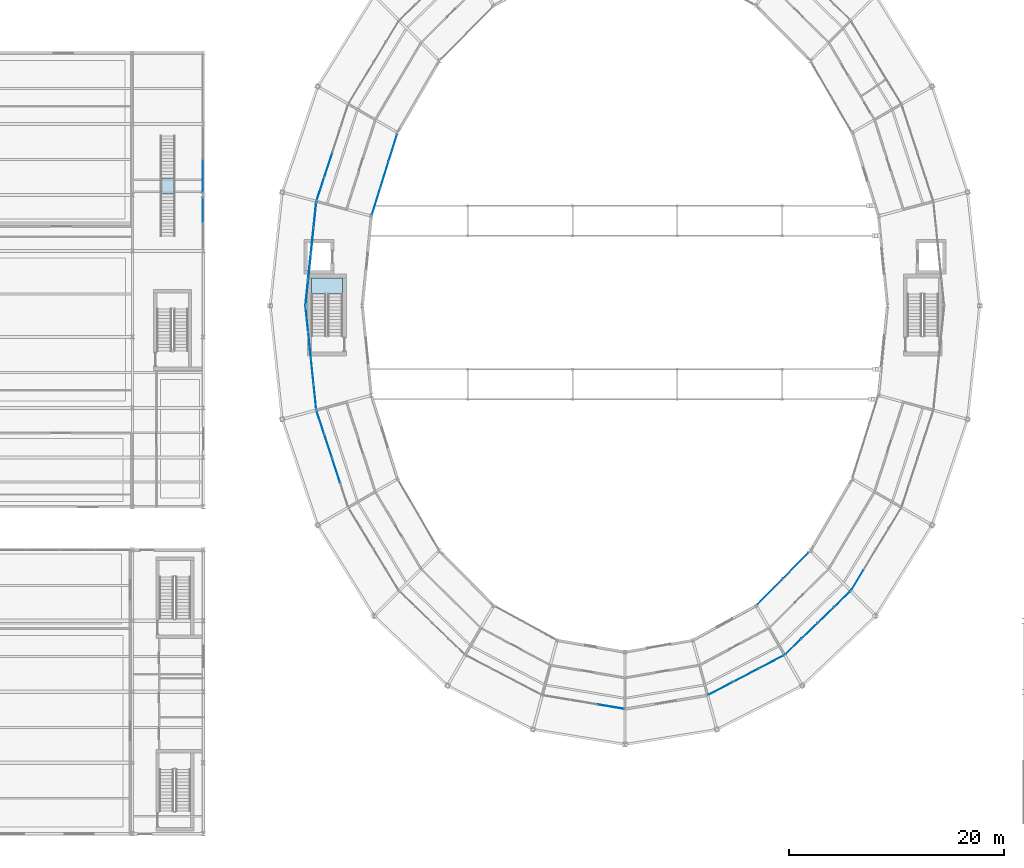
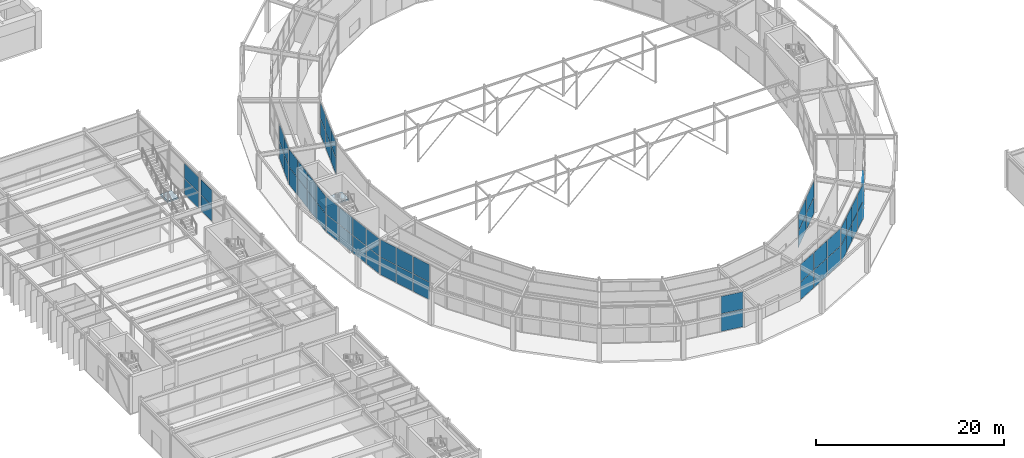
# One storey, part 101 of 144: 58 plates, 2 slabs, 14 elements without a shape of their own.
"""IFC4 building model written with IfcOpenShell, lengths in metres."""

from ifc_helpers import new_model, si_unit, direction, frame, origin, origin_2d, place, context, subcontext, project, spatial, polyline, rectangle, outline, extrude, material, layer, layer_set, type_object, element, aggregate, save


model = new_model("IFC4")

# Units and contexts
model_context = context("Model", 3, precision=1e-05, world=origin(), true_north=direction((0.0, 1.0)))
body_context = subcontext(model_context, "Body", "Model", "MODEL_VIEW")
ifc_project = project(units=[si_unit("LENGTHUNIT", "METRE"), si_unit("AREAUNIT", "SQUARE_METRE"), si_unit("VOLUMEUNIT", "CUBIC_METRE"), si_unit("PLANEANGLEUNIT", "RADIAN"), si_unit("MASSUNIT", "GRAM", prefix="KILO")], contexts=[model_context])

# Site, building, storey
site_placement = place(None, origin())
site = spatial("IfcSite", under=ifc_project, at=site_placement, CompositionType="ELEMENT")
building_placement = place(site_placement, origin())
building = spatial("IfcBuilding", under=site, at=building_placement, Name="Karori Crest Natural Sciences Institute", CompositionType="ELEMENT")
storey_placement = place(building_placement, origin())
storey = spatial("IfcBuildingStorey", under=building, at=storey_placement, Name="L00", CompositionType="ELEMENT", Elevation=0.0)

# Curtain wall, plates
ifc_material_1 = material(Name="Anodised architectural aluminium 6063-T6", Category="aluminium")
curtain_wall_type_1 = type_object("IfcCurtainWallType", Name="CWT-11", PredefinedType="NOTDEFINED", material=ifc_material_1)
curtain_wall_1_placement = place(storey_placement, origin())
curtain_wall_1 = element("IfcCurtainWall", 1, at=curtain_wall_1_placement, inside=storey, type_object=curtain_wall_type_1, Name="Curtain wall CW-0014", PredefinedType="NOTDEFINED")
ifc_material_2 = material(Name="Double low-E laminated glass", Category="glass")
ifc_layer_1 = layer(ifc_material_2, 0.02392578125, Name="Double low-E laminated glass")
ifc_layer_set_1 = layer_set([ifc_layer_1], Name="Double low-E laminated glass")
plate_type_1 = type_object("IfcPlateType", Name="CWP-01", PredefinedType="CURTAIN_PANEL", material=ifc_layer_set_1)
plate_1_placement = place(storey_placement, frame((44.824951171875, 64.584716796875, 0.06005859375), z_axis=(0.0, 0.0, 1.0), x_axis=(-0.2994765864, -0.954103649609, 0.0)))
plate_1 = element("IfcPlate", 2, at=plate_1_placement, type_object=plate_type_1, Name="CW-0014 panel 1.1", PredefinedType="CURTAIN_PANEL", context=body_context, shape_type="SweptSolid", body=[
    extrude(rectangle(XDim=2.517822265625, YDim=0.02392578125, at=origin_2d()), origin(), (0.0, 0.0, 1.0), 2.0849609375),
])
plate_2_placement = place(storey_placement, frame((44.824951171875, 64.584716796875, 2.205078125), z_axis=(0.0, 0.0, 1.0), x_axis=(-0.2994765864, -0.954103649609, 0.0)))
plate_2 = element("IfcPlate", 3, at=plate_2_placement, type_object=plate_type_1, Name="CW-0014 panel 1.2", PredefinedType="CURTAIN_PANEL", context=body_context, shape_type="SweptSolid", body=[
    extrude(rectangle(XDim=2.517822265625, YDim=0.02392578125, at=origin_2d()), origin(), (0.0, 0.0, 1.0), 2.0849609375),
])
plate_3_placement = place(storey_placement, frame((44.04638671875, 62.10498046875, 0.06005859375), z_axis=(0.0, 0.0, 1.0), x_axis=(-0.2994765864, -0.954103649609, 0.0)))
plate_3 = element("IfcPlate", 4, at=plate_3_placement, type_object=plate_type_1, Name="CW-0014 panel 2.1", PredefinedType="CURTAIN_PANEL", context=body_context, shape_type="SweptSolid", body=[
    extrude(rectangle(XDim=2.55029296875, YDim=0.02392578125, at=origin_2d()), origin(), (0.0, 0.0, 1.0), 2.0849609375),
])
plate_4_placement = place(storey_placement, frame((44.04638671875, 62.10498046875, 2.205078125), z_axis=(0.0, 0.0, 1.0), x_axis=(-0.2994765864, -0.954103649609, 0.0)))
plate_4 = element("IfcPlate", 5, at=plate_4_placement, type_object=plate_type_1, Name="CW-0014 panel 2.2", PredefinedType="CURTAIN_PANEL", context=body_context, shape_type="SweptSolid", body=[
    extrude(rectangle(XDim=2.55029296875, YDim=0.02392578125, at=origin_2d()), origin(), (0.0, 0.0, 1.0), 2.0849609375),
])
plate_5_placement = place(storey_placement, frame((43.26806640625, 59.62548828125, 0.06005859375), z_axis=(0.0, 0.0, 1.0), x_axis=(-0.2994765864, -0.954103649609, 0.0)))
plate_5 = element("IfcPlate", 6, at=plate_5_placement, type_object=plate_type_1, Name="CW-0014 panel 3.1", PredefinedType="CURTAIN_PANEL", context=body_context, shape_type="SweptSolid", body=[
    extrude(rectangle(XDim=2.517822265625, YDim=0.02392578125, at=origin_2d()), origin(), (0.0, 0.0, 1.0), 2.0849609375),
])
plate_6_placement = place(storey_placement, frame((43.26806640625, 59.62548828125, 2.205078125), z_axis=(0.0, 0.0, 1.0), x_axis=(-0.2994765864, -0.954103649609, 0.0)))
plate_6 = element("IfcPlate", 7, at=plate_6_placement, type_object=plate_type_1, Name="CW-0014 panel 3.2", PredefinedType="CURTAIN_PANEL", context=body_context, shape_type="SweptSolid", body=[
    extrude(rectangle(XDim=2.517822265625, YDim=0.02392578125, at=origin_2d()), origin(), (0.0, 0.0, 1.0), 2.0849609375),
])
aggregate(curtain_wall_1, [plate_1, plate_2, plate_3, plate_4, plate_5, plate_6])

curtain_wall_type_2 = type_object("IfcCurtainWallType", Name="CWT-03", PredefinedType="NOTDEFINED", material=ifc_material_1)
curtain_wall_2_placement = place(storey_placement, origin())
curtain_wall_2 = element("IfcCurtainWall", 8, at=curtain_wall_2_placement, inside=storey, type_object=curtain_wall_type_2, Name="Curtain wall CW-0016", PredefinedType="NOTDEFINED")
plate_7_placement = place(storey_placement, frame((37.58203125, 41.441162109375, 0.06494140625), z_axis=(0.0, 0.0, 1.0), x_axis=(-0.103701303727, 0.994608485589, 0.0)))
plate_7 = element("IfcPlate", 9, at=plate_7_placement, type_object=plate_type_1, Name="CW-0016 panel 1.1", PredefinedType="CURTAIN_PANEL", context=body_context, shape_type="SweptSolid", body=[
    extrude(rectangle(XDim=2.317138671875, YDim=0.02392578125, at=origin_2d()), origin(), (0.0, 0.0, 1.0), 2.242431640625),
])
plate_8_placement = place(storey_placement, frame((37.58203125, 41.441162109375, 2.37255859375), z_axis=(0.0, 0.0, 1.0), x_axis=(-0.103701303727, 0.994608485589, 0.0)))
plate_8 = element("IfcPlate", 10, at=plate_8_placement, type_object=plate_type_1, Name="CW-0016 panel 1.2", PredefinedType="CURTAIN_PANEL", context=body_context, shape_type="SweptSolid", body=[
    extrude(rectangle(XDim=2.317138671875, YDim=0.02392578125, at=origin_2d()), origin(), (0.0, 0.0, 1.0), 2.242431640625),
])
plate_9_placement = place(storey_placement, frame((37.33203125, 43.8388671875, 0.06494140625), z_axis=(0.0, 0.0, 1.0), x_axis=(-0.103701303727, 0.994608485589, 0.0)))
plate_9 = element("IfcPlate", 11, at=plate_9_placement, type_object=plate_type_1, Name="CW-0016 panel 2.1", PredefinedType="CURTAIN_PANEL", context=body_context, shape_type="SweptSolid", body=[
    extrude(rectangle(XDim=2.3544921875, YDim=0.02392578125, at=origin_2d()), origin(), (0.0, 0.0, 1.0), 2.242431640625),
])
plate_10_placement = place(storey_placement, frame((37.33203125, 43.8388671875, 2.37255859375), z_axis=(0.0, 0.0, 1.0), x_axis=(-0.103701303727, 0.994608485589, 0.0)))
plate_10 = element("IfcPlate", 12, at=plate_10_placement, type_object=plate_type_1, Name="CW-0016 panel 2.2", PredefinedType="CURTAIN_PANEL", context=body_context, shape_type="SweptSolid", body=[
    extrude(rectangle(XDim=2.3544921875, YDim=0.02392578125, at=origin_2d()), origin(), (0.0, 0.0, 1.0), 2.242431640625),
])
plate_11_placement = place(storey_placement, frame((37.080078125, 46.25537109375, 0.06494140625), z_axis=(0.0, 0.0, 1.0), x_axis=(-0.103701303727, 0.994608485589, 0.0)))
plate_11 = element("IfcPlate", 13, at=plate_11_placement, type_object=plate_type_1, Name="CW-0016 panel 3.1", PredefinedType="CURTAIN_PANEL", context=body_context, shape_type="SweptSolid", body=[
    extrude(rectangle(XDim=2.3544921875, YDim=0.02392578125, at=origin_2d()), origin(), (0.0, 0.0, 1.0), 2.242431640625),
])
plate_12_placement = place(storey_placement, frame((37.080078125, 46.25537109375, 2.37255859375), z_axis=(0.0, 0.0, 1.0), x_axis=(-0.103701303727, 0.994608485589, 0.0)))
plate_12 = element("IfcPlate", 14, at=plate_12_placement, type_object=plate_type_1, Name="CW-0016 panel 3.2", PredefinedType="CURTAIN_PANEL", context=body_context, shape_type="SweptSolid", body=[
    extrude(rectangle(XDim=2.3544921875, YDim=0.02392578125, at=origin_2d()), origin(), (0.0, 0.0, 1.0), 2.242431640625),
])
plate_13_placement = place(storey_placement, frame((36.830078125, 48.6533203125, 0.06494140625), z_axis=(0.0, 0.0, 1.0), x_axis=(-0.103701303727, 0.994608485589, 0.0)))
plate_13 = element("IfcPlate", 15, at=plate_13_placement, type_object=plate_type_1, Name="CW-0016 panel 4.1", PredefinedType="CURTAIN_PANEL", context=body_context, shape_type="SweptSolid", body=[
    extrude(rectangle(XDim=2.317138671875, YDim=0.02392578125, at=origin_2d()), origin(), (0.0, 0.0, 1.0), 2.242431640625),
])
plate_14_placement = place(storey_placement, frame((36.830078125, 48.6533203125, 2.37255859375), z_axis=(0.0, 0.0, 1.0), x_axis=(-0.103701303727, 0.994608485589, 0.0)))
plate_14 = element("IfcPlate", 16, at=plate_14_placement, type_object=plate_type_1, Name="CW-0016 panel 4.2", PredefinedType="CURTAIN_PANEL", context=body_context, shape_type="SweptSolid", body=[
    extrude(rectangle(XDim=2.317138671875, YDim=0.02392578125, at=origin_2d()), origin(), (0.0, 0.0, 1.0), 2.242431640625),
])
aggregate(curtain_wall_2, [plate_7, plate_8, plate_9, plate_10, plate_11, plate_12, plate_13, plate_14])

curtain_wall_3_placement = place(storey_placement, origin())
curtain_wall_3 = element("IfcCurtainWall", 17, at=curtain_wall_3_placement, inside=storey, type_object=curtain_wall_type_1, Name="Curtain wall CW-0026", PredefinedType="NOTDEFINED")
plate_15_placement = place(storey_placement, frame((79.90771484375, 23.338134765625, 0.06005859375), z_axis=(0.0, 0.0, 1.0), x_axis=(0.70265631089, 0.71152941525, 0.0)))
plate_15 = element("IfcPlate", 18, at=plate_15_placement, type_object=plate_type_1, Name="CW-0026 panel 1.1", PredefinedType="CURTAIN_PANEL", context=body_context, shape_type="SweptSolid", body=[
    extrude(rectangle(XDim=3.322998046875, YDim=0.02392578125, at=origin_2d()), origin(), (0.0, 0.0, 1.0), 2.0849609375),
])
plate_16_placement = place(storey_placement, frame((79.90771484375, 23.338134765625, 2.205078125), z_axis=(0.0, 0.0, 1.0), x_axis=(0.70265631089, 0.71152941525, 0.0)))
plate_16 = element("IfcPlate", 19, at=plate_16_placement, type_object=plate_type_1, Name="CW-0026 panel 1.2", PredefinedType="CURTAIN_PANEL", context=body_context, shape_type="SweptSolid", body=[
    extrude(rectangle(XDim=3.322998046875, YDim=0.02392578125, at=origin_2d()), origin(), (0.0, 0.0, 1.0), 2.0849609375),
])
plate_17_placement = place(storey_placement, frame((82.2880859375, 25.748779296875, 0.06005859375), z_axis=(0.0, 0.0, 1.0), x_axis=(0.70265631089, 0.71152941525, 0.0)))
plate_17 = element("IfcPlate", 20, at=plate_17_placement, type_object=plate_type_1, Name="CW-0026 panel 2.1", PredefinedType="CURTAIN_PANEL", context=body_context, shape_type="SweptSolid", body=[
    extrude(rectangle(XDim=3.322998046875, YDim=0.02392578125, at=origin_2d()), origin(), (0.0, 0.0, 1.0), 2.0849609375),
])
plate_18_placement = place(storey_placement, frame((82.2880859375, 25.748779296875, 2.205078125), z_axis=(0.0, 0.0, 1.0), x_axis=(0.70265631089, 0.71152941525, 0.0)))
plate_18 = element("IfcPlate", 21, at=plate_18_placement, type_object=plate_type_1, Name="CW-0026 panel 2.2", PredefinedType="CURTAIN_PANEL", context=body_context, shape_type="SweptSolid", body=[
    extrude(rectangle(XDim=3.322998046875, YDim=0.02392578125, at=origin_2d()), origin(), (0.0, 0.0, 1.0), 2.0849609375),
])
aggregate(curtain_wall_3, [plate_15, plate_16, plate_17, plate_18])

curtain_wall_type_3 = type_object("IfcCurtainWallType", Name="CWT-02", PredefinedType="NOTDEFINED", material=ifc_material_1)
curtain_wall_4_placement = place(storey_placement, origin())
curtain_wall_4 = element("IfcCurtainWall", 22, at=curtain_wall_4_placement, inside=storey, type_object=curtain_wall_type_3, Name="Curtain wall CW-0027", PredefinedType="NOTDEFINED")
plate_19_placement = place(storey_placement, frame((88.008544921875, 24.383056640625, 0.06005859375), z_axis=(0.0, 0.0, 1.0), x_axis=(-0.519340606905, -0.854567337323, 0.0)))
plate_19 = element("IfcPlate", 23, at=plate_19_placement, type_object=plate_type_1, Name="CW-0027 panel 4.1", PredefinedType="CURTAIN_PANEL", context=body_context, shape_type="SweptSolid", body=[
    extrude(rectangle(XDim=2.149658203125, YDim=0.02392578125, at=origin_2d()), origin(), (0.0, 0.0, 1.0), 2.25),
])
plate_20_placement = place(storey_placement, frame((88.008544921875, 24.383056640625, 2.3701171875), z_axis=(0.0, 0.0, 1.0), x_axis=(-0.519340606905, -0.854567337323, 0.0)))
plate_20 = element("IfcPlate", 24, at=plate_20_placement, type_object=plate_type_1, Name="CW-0027 panel 4.2", PredefinedType="CURTAIN_PANEL", context=body_context, shape_type="SweptSolid", body=[
    extrude(rectangle(XDim=2.149658203125, YDim=0.02392578125, at=origin_2d()), origin(), (0.0, 0.0, 1.0), 2.25),
])
aggregate(curtain_wall_4, [plate_19, plate_20])

curtain_wall_type_4 = type_object("IfcCurtainWallType", Name="CWT-18", PredefinedType="NOTDEFINED", material=ifc_material_1)
curtain_wall_5_placement = place(storey_placement, origin())
curtain_wall_5 = element("IfcCurtainWall", 25, at=curtain_wall_5_placement, inside=storey, type_object=curtain_wall_type_4, Name="Curtain wall CW-0259", PredefinedType="NOTDEFINED")
plate_21_placement = place(storey_placement, frame((27.139892578125, 58.79736328125, 0.06005859375), z_axis=(0.0, 0.0, 1.0), x_axis=(0.0, -1.0, 0.0)))
plate_21 = element("IfcPlate", 26, at=plate_21_placement, type_object=plate_type_1, Name="CW-0259 panel 1.1", PredefinedType="CURTAIN_PANEL", context=body_context, shape_type="SweptSolid", body=[
    extrude(rectangle(XDim=2.32958984375, YDim=0.02392578125, at=origin_2d()), origin(), (0.0, 0.0, 1.0), 1.982421875),
])
plate_22_placement = place(storey_placement, frame((27.139892578125, 58.79736328125, 2.1025390625), z_axis=(0.0, 0.0, 1.0), x_axis=(0.0, -1.0, 0.0)))
plate_22 = element("IfcPlate", 27, at=plate_22_placement, type_object=plate_type_1, Name="CW-0259 panel 1.2", PredefinedType="CURTAIN_PANEL", context=body_context, shape_type="SweptSolid", body=[
    extrude(rectangle(XDim=2.32958984375, YDim=0.02392578125, at=origin_2d()), origin(), (0.0, 0.0, 1.0), 1.982421875),
])
aggregate(curtain_wall_5, [plate_21, plate_22])

curtain_wall_6_placement = place(storey_placement, origin())
curtain_wall_6 = element("IfcCurtainWall", 28, at=curtain_wall_6_placement, inside=storey, type_object=curtain_wall_type_4, Name="Curtain wall CW-0260", PredefinedType="NOTDEFINED")
plate_23_placement = place(storey_placement, frame((27.139892578125, 61.95263671875, 0.06005859375), z_axis=(0.0, 0.0, 1.0), x_axis=(0.0, -1.0, 0.0)))
plate_23 = element("IfcPlate", 29, at=plate_23_placement, type_object=plate_type_1, Name="CW-0260 panel 2.1", PredefinedType="CURTAIN_PANEL", context=body_context, shape_type="SweptSolid", body=[
    extrude(rectangle(XDim=3.029541015625, YDim=0.02392578125, at=origin_2d()), origin(), (0.0, 0.0, 1.0), 1.982421875),
])
plate_24_placement = place(storey_placement, frame((27.139892578125, 61.95263671875, 2.1025390625), z_axis=(0.0, 0.0, 1.0), x_axis=(0.0, -1.0, 0.0)))
plate_24 = element("IfcPlate", 30, at=plate_24_placement, type_object=plate_type_1, Name="CW-0260 panel 2.2", PredefinedType="CURTAIN_PANEL", context=body_context, shape_type="SweptSolid", body=[
    extrude(rectangle(XDim=3.029541015625, YDim=0.02392578125, at=origin_2d()), origin(), (0.0, 0.0, 1.0), 1.982421875),
])
aggregate(curtain_wall_6, [plate_23, plate_24])

curtain_wall_type_5 = type_object("IfcCurtainWallType", Name="CWT-01", PredefinedType="NOTDEFINED", material=ifc_material_1)
curtain_wall_7_placement = place(storey_placement, origin())
curtain_wall_7 = element("IfcCurtainWall", 31, at=curtain_wall_7_placement, inside=storey, type_object=curtain_wall_type_5, Name="Curtain wall CW-0013", PredefinedType="NOTDEFINED")
ifc_layer_2 = layer(ifc_material_2, 0.033935546875, Name="Double low-E laminated glass")
ifc_layer_set_2 = layer_set([ifc_layer_2], Name="Double low-E laminated glass")
plate_type_2 = type_object("IfcPlateType", Name="CWP-02", PredefinedType="CURTAIN_PANEL", material=ifc_layer_set_2)
plate_25_placement = place(storey_placement, frame((38.09326171875, 60.768310546875, 0.06494140625), z_axis=(0.0, 0.0, 1.0), x_axis=(0.311714013584, 0.950175969879, 0.0)))
plate_25 = element("IfcPlate", 32, at=plate_25_placement, type_object=plate_type_2, Name="CW-0013 panel 1.1", PredefinedType="CURTAIN_PANEL", context=body_context, shape_type="SweptSolid", body=[
    extrude(rectangle(XDim=2.257080078125, YDim=0.033935546875, at=origin_2d()), origin(), (0.0, 0.0, 1.0), 2.242431640625),
])
plate_26_placement = place(storey_placement, frame((38.09326171875, 60.768310546875, 2.37255859375), z_axis=(0.0, 0.0, 1.0), x_axis=(0.311714013584, 0.950175969879, 0.0)))
plate_26 = element("IfcPlate", 33, at=plate_26_placement, type_object=plate_type_2, Name="CW-0013 panel 1.2", PredefinedType="CURTAIN_PANEL", context=body_context, shape_type="SweptSolid", body=[
    extrude(rectangle(XDim=2.257080078125, YDim=0.033935546875, at=origin_2d()), origin(), (0.0, 0.0, 1.0), 2.242431640625),
])
plate_27_placement = place(storey_placement, frame((38.826171875, 63.001953125, 0.06494140625), z_axis=(0.0, 0.0, 1.0), x_axis=(0.311714013584, 0.950175969879, 0.0)))
plate_27 = element("IfcPlate", 34, at=plate_27_placement, type_object=plate_type_2, Name="CW-0013 panel 2.1", PredefinedType="CURTAIN_PANEL", context=body_context, shape_type="SweptSolid", body=[
    extrude(rectangle(XDim=2.294677734375, YDim=0.033935546875, at=origin_2d()), origin(), (0.0, 0.0, 1.0), 2.242431640625),
])
plate_28_placement = place(storey_placement, frame((38.826171875, 63.001953125, 2.37255859375), z_axis=(0.0, 0.0, 1.0), x_axis=(0.311714013584, 0.950175969879, 0.0)))
plate_28 = element("IfcPlate", 35, at=plate_28_placement, type_object=plate_type_2, Name="CW-0013 panel 2.2", PredefinedType="CURTAIN_PANEL", context=body_context, shape_type="SweptSolid", body=[
    extrude(rectangle(XDim=2.294677734375, YDim=0.033935546875, at=origin_2d()), origin(), (0.0, 0.0, 1.0), 2.242431640625),
])
aggregate(curtain_wall_7, [plate_25, plate_26, plate_27, plate_28])

curtain_wall_type_6 = type_object("IfcCurtainWallType", Name="CWT-04", PredefinedType="NOTDEFINED", material=ifc_material_1)
curtain_wall_8_placement = place(storey_placement, origin())
curtain_wall_8 = element("IfcCurtainWall", 36, at=curtain_wall_8_placement, inside=storey, type_object=curtain_wall_type_6, Name="Curtain wall CW-0017", PredefinedType="NOTDEFINED")
plate_29_placement = place(storey_placement, frame((39.56494140625, 34.54638671875, 0.06005859375), z_axis=(0.0, 0.0, 1.0), x_axis=(-0.311714013584, 0.950175969879, 0.0)))
plate_29 = element("IfcPlate", 37, at=plate_29_placement, type_object=plate_type_2, Name="CW-0017 panel 2.1", PredefinedType="CURTAIN_PANEL", context=body_context, shape_type="SweptSolid", body=[
    extrude(rectangle(XDim=2.294677734375, YDim=0.033935546875, at=origin_2d()), origin(), (0.0, 0.0, 1.0), 2.25),
])
plate_30_placement = place(storey_placement, frame((39.56494140625, 34.54638671875, 2.3701171875), z_axis=(0.0, 0.0, 1.0), x_axis=(-0.311714013584, 0.950175969879, 0.0)))
plate_30 = element("IfcPlate", 38, at=plate_30_placement, type_object=plate_type_2, Name="CW-0017 panel 2.2", PredefinedType="CURTAIN_PANEL", context=body_context, shape_type="SweptSolid", body=[
    extrude(rectangle(XDim=2.294677734375, YDim=0.033935546875, at=origin_2d()), origin(), (0.0, 0.0, 1.0), 2.25),
])
plate_31_placement = place(storey_placement, frame((38.826171875, 36.7978515625, 0.06005859375), z_axis=(0.0, 0.0, 1.0), x_axis=(-0.311714013584, 0.950175969879, 0.0)))
plate_31 = element("IfcPlate", 39, at=plate_31_placement, type_object=plate_type_2, Name="CW-0017 panel 3.1", PredefinedType="CURTAIN_PANEL", context=body_context, shape_type="SweptSolid", body=[
    extrude(rectangle(XDim=2.294677734375, YDim=0.033935546875, at=origin_2d()), origin(), (0.0, 0.0, 1.0), 2.25),
])
plate_32_placement = place(storey_placement, frame((38.826171875, 36.7978515625, 2.3701171875), z_axis=(0.0, 0.0, 1.0), x_axis=(-0.311714013584, 0.950175969879, 0.0)))
plate_32 = element("IfcPlate", 40, at=plate_32_placement, type_object=plate_type_2, Name="CW-0017 panel 3.2", PredefinedType="CURTAIN_PANEL", context=body_context, shape_type="SweptSolid", body=[
    extrude(rectangle(XDim=2.294677734375, YDim=0.033935546875, at=origin_2d()), origin(), (0.0, 0.0, 1.0), 2.25),
])
plate_33_placement = place(storey_placement, frame((38.09326171875, 39.03173828125, 0.06005859375), z_axis=(0.0, 0.0, 1.0), x_axis=(-0.311714013584, 0.950175969879, 0.0)))
plate_33 = element("IfcPlate", 41, at=plate_33_placement, type_object=plate_type_2, Name="CW-0017 panel 4.1", PredefinedType="CURTAIN_PANEL", context=body_context, shape_type="SweptSolid", body=[
    extrude(rectangle(XDim=2.257080078125, YDim=0.033935546875, at=origin_2d()), origin(), (0.0, 0.0, 1.0), 2.25),
])
plate_34_placement = place(storey_placement, frame((38.09326171875, 39.03173828125, 2.3701171875), z_axis=(0.0, 0.0, 1.0), x_axis=(-0.311714013584, 0.950175969879, 0.0)))
plate_34 = element("IfcPlate", 42, at=plate_34_placement, type_object=plate_type_2, Name="CW-0017 panel 4.2", PredefinedType="CURTAIN_PANEL", context=body_context, shape_type="SweptSolid", body=[
    extrude(rectangle(XDim=2.257080078125, YDim=0.033935546875, at=origin_2d()), origin(), (0.0, 0.0, 1.0), 2.25),
])
aggregate(curtain_wall_8, [plate_29, plate_30, plate_31, plate_32, plate_33, plate_34])

curtain_wall_type_7 = type_object("IfcCurtainWallType", Name="CWT-10", PredefinedType="NOTDEFINED", material=ifc_material_1)
curtain_wall_9_placement = place(storey_placement, origin())
curtain_wall_9 = element("IfcCurtainWall", 43, at=curtain_wall_9_placement, inside=storey, type_object=curtain_wall_type_7, Name="Curtain wall CW-0024", PredefinedType="NOTDEFINED")
plate_35_placement = place(storey_placement, frame((80.02783203125, 16.78466796875, 0.06005859375), z_axis=(0.0, 0.0, 1.0), x_axis=(-0.88613575858, -0.46342574094, 0.0)))
plate_35 = element("IfcPlate", 44, at=plate_35_placement, type_object=plate_type_2, Name="CW-0024 panel 1.1", PredefinedType="CURTAIN_PANEL", context=body_context, shape_type="SweptSolid", body=[
    extrude(rectangle(XDim=2.568603515625, YDim=0.033935546875, at=origin_2d()), origin(), (0.0, 0.0, 1.0), 2.25),
])
plate_36_placement = place(storey_placement, frame((80.02783203125, 16.78466796875, 2.3701171875), z_axis=(0.0, 0.0, 1.0), x_axis=(-0.88613575858, -0.46342574094, 0.0)))
plate_36 = element("IfcPlate", 45, at=plate_36_placement, type_object=plate_type_2, Name="CW-0024 panel 1.2", PredefinedType="CURTAIN_PANEL", context=body_context, shape_type="SweptSolid", body=[
    extrude(rectangle(XDim=2.568603515625, YDim=0.033935546875, at=origin_2d()), origin(), (0.0, 0.0, 1.0), 2.25),
])
plate_37_placement = place(storey_placement, frame((77.66845703125, 15.55078125, 0.06005859375), z_axis=(0.0, 0.0, 1.0), x_axis=(-0.88613575858, -0.46342574094, 0.0)))
plate_37 = element("IfcPlate", 46, at=plate_37_placement, type_object=plate_type_2, Name="CW-0024 panel 2.1", PredefinedType="CURTAIN_PANEL", context=body_context, shape_type="SweptSolid", body=[
    extrude(rectangle(XDim=2.606201171875, YDim=0.033935546875, at=origin_2d()), origin(), (0.0, 0.0, 1.0), 2.25),
])
plate_38_placement = place(storey_placement, frame((77.66845703125, 15.55078125, 2.3701171875), z_axis=(0.0, 0.0, 1.0), x_axis=(-0.88613575858, -0.46342574094, 0.0)))
plate_38 = element("IfcPlate", 47, at=plate_38_placement, type_object=plate_type_2, Name="CW-0024 panel 2.2", PredefinedType="CURTAIN_PANEL", context=body_context, shape_type="SweptSolid", body=[
    extrude(rectangle(XDim=2.606201171875, YDim=0.033935546875, at=origin_2d()), origin(), (0.0, 0.0, 1.0), 2.25),
])
plate_39_placement = place(storey_placement, frame((75.30908203125, 14.317138671875, 0.06005859375), z_axis=(0.0, 0.0, 1.0), x_axis=(-0.88613575858, -0.46342574094, 0.0)))
plate_39 = element("IfcPlate", 48, at=plate_39_placement, type_object=plate_type_2, Name="CW-0024 panel 3.1", PredefinedType="CURTAIN_PANEL", context=body_context, shape_type="SweptSolid", body=[
    extrude(rectangle(XDim=2.568603515625, YDim=0.033935546875, at=origin_2d()), origin(), (0.0, 0.0, 1.0), 2.25),
])
plate_40_placement = place(storey_placement, frame((75.30908203125, 14.317138671875, 2.3701171875), z_axis=(0.0, 0.0, 1.0), x_axis=(-0.88613575858, -0.46342574094, 0.0)))
plate_40 = element("IfcPlate", 49, at=plate_40_placement, type_object=plate_type_2, Name="CW-0024 panel 3.2", PredefinedType="CURTAIN_PANEL", context=body_context, shape_type="SweptSolid", body=[
    extrude(rectangle(XDim=2.568603515625, YDim=0.033935546875, at=origin_2d()), origin(), (0.0, 0.0, 1.0), 2.25),
])
aggregate(curtain_wall_9, [plate_35, plate_36, plate_37, plate_38, plate_39, plate_40])

curtain_wall_10_placement = place(storey_placement, origin())
curtain_wall_10 = element("IfcCurtainWall", 50, at=curtain_wall_10_placement, inside=storey, type_object=curtain_wall_type_3, Name="Curtain wall CW-0015", PredefinedType="NOTDEFINED")
ifc_layer_3 = layer(ifc_material_2, 0.0439453125, Name="Double low-E laminated glass")
ifc_layer_set_3 = layer_set([ifc_layer_3], Name="Double low-E laminated glass")
plate_type_3 = type_object("IfcPlateType", Name="CWP-03", PredefinedType="CURTAIN_PANEL", material=ifc_layer_set_3)
plate_41_placement = place(storey_placement, frame((36.830078125, 51.146728515625, 0.06005859375), z_axis=(0.0, 0.0, 1.0), x_axis=(0.103701303727, 0.994608485589, 0.0)))
plate_41 = element("IfcPlate", 51, at=plate_41_placement, type_object=plate_type_3, Name="CW-0015 panel 1.1", PredefinedType="CURTAIN_PANEL", context=body_context, shape_type="SweptSolid", body=[
    extrude(rectangle(XDim=2.317138671875, YDim=0.0439453125, at=origin_2d()), origin(), (0.0, 0.0, 1.0), 2.25),
])
plate_42_placement = place(storey_placement, frame((36.830078125, 51.146728515625, 2.3701171875), z_axis=(0.0, 0.0, 1.0), x_axis=(0.103701303727, 0.994608485589, 0.0)))
plate_42 = element("IfcPlate", 52, at=plate_42_placement, type_object=plate_type_3, Name="CW-0015 panel 1.2", PredefinedType="CURTAIN_PANEL", context=body_context, shape_type="SweptSolid", body=[
    extrude(rectangle(XDim=2.317138671875, YDim=0.0439453125, at=origin_2d()), origin(), (0.0, 0.0, 1.0), 2.25),
])
plate_43_placement = place(storey_placement, frame((37.080078125, 53.544677734375, 0.06005859375), z_axis=(0.0, 0.0, 1.0), x_axis=(0.103701303727, 0.994608485589, 0.0)))
plate_43 = element("IfcPlate", 53, at=plate_43_placement, type_object=plate_type_3, Name="CW-0015 panel 2.1", PredefinedType="CURTAIN_PANEL", context=body_context, shape_type="SweptSolid", body=[
    extrude(rectangle(XDim=2.3544921875, YDim=0.0439453125, at=origin_2d()), origin(), (0.0, 0.0, 1.0), 2.25),
])
plate_44_placement = place(storey_placement, frame((37.080078125, 53.544677734375, 2.3701171875), z_axis=(0.0, 0.0, 1.0), x_axis=(0.103701303727, 0.994608485589, 0.0)))
plate_44 = element("IfcPlate", 54, at=plate_44_placement, type_object=plate_type_3, Name="CW-0015 panel 2.2", PredefinedType="CURTAIN_PANEL", context=body_context, shape_type="SweptSolid", body=[
    extrude(rectangle(XDim=2.3544921875, YDim=0.0439453125, at=origin_2d()), origin(), (0.0, 0.0, 1.0), 2.25),
])
plate_45_placement = place(storey_placement, frame((37.33203125, 55.961181640625, 0.06005859375), z_axis=(0.0, 0.0, 1.0), x_axis=(0.103701303727, 0.994608485589, 0.0)))
plate_45 = element("IfcPlate", 55, at=plate_45_placement, type_object=plate_type_3, Name="CW-0015 panel 3.1", PredefinedType="CURTAIN_PANEL", context=body_context, shape_type="SweptSolid", body=[
    extrude(rectangle(XDim=2.3544921875, YDim=0.0439453125, at=origin_2d()), origin(), (0.0, 0.0, 1.0), 2.25),
])
plate_46_placement = place(storey_placement, frame((37.33203125, 55.961181640625, 2.3701171875), z_axis=(0.0, 0.0, 1.0), x_axis=(0.103701303727, 0.994608485589, 0.0)))
plate_46 = element("IfcPlate", 56, at=plate_46_placement, type_object=plate_type_3, Name="CW-0015 panel 3.2", PredefinedType="CURTAIN_PANEL", context=body_context, shape_type="SweptSolid", body=[
    extrude(rectangle(XDim=2.3544921875, YDim=0.0439453125, at=origin_2d()), origin(), (0.0, 0.0, 1.0), 2.25),
])
plate_47_placement = place(storey_placement, frame((37.58203125, 58.35888671875, 0.06005859375), z_axis=(0.0, 0.0, 1.0), x_axis=(0.103701303727, 0.994608485589, 0.0)))
plate_47 = element("IfcPlate", 57, at=plate_47_placement, type_object=plate_type_3, Name="CW-0015 panel 4.1", PredefinedType="CURTAIN_PANEL", context=body_context, shape_type="SweptSolid", body=[
    extrude(rectangle(XDim=2.317138671875, YDim=0.0439453125, at=origin_2d()), origin(), (0.0, 0.0, 1.0), 2.25),
])
plate_48_placement = place(storey_placement, frame((37.58203125, 58.35888671875, 2.3701171875), z_axis=(0.0, 0.0, 1.0), x_axis=(0.103701303727, 0.994608485589, 0.0)))
plate_48 = element("IfcPlate", 58, at=plate_48_placement, type_object=plate_type_3, Name="CW-0015 panel 4.2", PredefinedType="CURTAIN_PANEL", context=body_context, shape_type="SweptSolid", body=[
    extrude(rectangle(XDim=2.317138671875, YDim=0.0439453125, at=origin_2d()), origin(), (0.0, 0.0, 1.0), 2.25),
])
aggregate(curtain_wall_10, [plate_41, plate_42, plate_43, plate_44, plate_45, plate_46, plate_47, plate_48])

curtain_wall_type_8 = type_object("IfcCurtainWallType", Name="CWT-08", PredefinedType="NOTDEFINED", material=ifc_material_1)
curtain_wall_11_placement = place(storey_placement, origin())
curtain_wall_11 = element("IfcCurtainWall", 59, at=curtain_wall_11_placement, inside=storey, type_object=curtain_wall_type_8, Name="Curtain wall CW-0023", PredefinedType="NOTDEFINED")
plate_49_placement = place(storey_placement, frame((65.087158203125, 12.6181640625, 0.06005859375), z_axis=(0.0, 0.0, 1.0), x_axis=(-0.986464603597, 0.1639743451, 0.0)))
plate_49 = element("IfcPlate", 60, at=plate_49_placement, type_object=plate_type_3, Name="CW-0023 panel 1.1", PredefinedType="CURTAIN_PANEL", context=body_context, shape_type="SweptSolid", body=[
    extrude(rectangle(XDim=2.4716796875, YDim=0.0439453125, at=origin_2d()), origin(), (0.0, 0.0, 1.0), 2.25),
])
plate_50_placement = place(storey_placement, frame((65.087158203125, 12.6181640625, 2.3701171875), z_axis=(0.0, 0.0, 1.0), x_axis=(-0.986464603597, 0.1639743451, 0.0)))
plate_50 = element("IfcPlate", 61, at=plate_50_placement, type_object=plate_type_3, Name="CW-0023 panel 1.2", PredefinedType="CURTAIN_PANEL", context=body_context, shape_type="SweptSolid", body=[
    extrude(rectangle(XDim=2.4716796875, YDim=0.0439453125, at=origin_2d()), origin(), (0.0, 0.0, 1.0), 2.25),
])
aggregate(curtain_wall_11, [plate_49, plate_50])

curtain_wall_12_placement = place(storey_placement, origin())
curtain_wall_12 = element("IfcCurtainWall", 62, at=curtain_wall_12_placement, inside=storey, type_object=curtain_wall_type_5, Name="Curtain wall CW-0025", PredefinedType="NOTDEFINED")
plate_51_placement = place(storey_placement, frame((86.60791015625, 22.614990234375, 0.06494140625), z_axis=(0.0, 0.0, 1.0), x_axis=(-0.718197901752, -0.695838899401, 0.0)))
plate_51 = element("IfcPlate", 63, at=plate_51_placement, type_object=plate_type_3, Name="CW-0025 panel 1.1", PredefinedType="CURTAIN_PANEL", context=body_context, shape_type="SweptSolid", body=[
    extrude(rectangle(XDim=2.0185546875, YDim=0.0439453125, at=origin_2d()), origin(), (0.0, 0.0, 1.0), 2.242431640625),
])
plate_52_placement = place(storey_placement, frame((86.60791015625, 22.614990234375, 2.37255859375), z_axis=(0.0, 0.0, 1.0), x_axis=(-0.718197901752, -0.695838899401, 0.0)))
plate_52 = element("IfcPlate", 64, at=plate_52_placement, type_object=plate_type_3, Name="CW-0025 panel 1.2", PredefinedType="CURTAIN_PANEL", context=body_context, shape_type="SweptSolid", body=[
    extrude(rectangle(XDim=2.0185546875, YDim=0.0439453125, at=origin_2d()), origin(), (0.0, 0.0, 1.0), 2.242431640625),
])
plate_53_placement = place(storey_placement, frame((85.0908203125, 21.145263671875, 0.06494140625), z_axis=(0.0, 0.0, 1.0), x_axis=(-0.718197901752, -0.695838899401, 0.0)))
plate_53 = element("IfcPlate", 65, at=plate_53_placement, type_object=plate_type_3, Name="CW-0025 panel 2.1", PredefinedType="CURTAIN_PANEL", context=body_context, shape_type="SweptSolid", body=[
    extrude(rectangle(XDim=2.05615234375, YDim=0.0439453125, at=origin_2d()), origin(), (0.0, 0.0, 1.0), 2.242431640625),
])
plate_54_placement = place(storey_placement, frame((85.0908203125, 21.145263671875, 2.37255859375), z_axis=(0.0, 0.0, 1.0), x_axis=(-0.718197901752, -0.695838899401, 0.0)))
plate_54 = element("IfcPlate", 66, at=plate_54_placement, type_object=plate_type_3, Name="CW-0025 panel 2.2", PredefinedType="CURTAIN_PANEL", context=body_context, shape_type="SweptSolid", body=[
    extrude(rectangle(XDim=2.05615234375, YDim=0.0439453125, at=origin_2d()), origin(), (0.0, 0.0, 1.0), 2.242431640625),
])
plate_55_placement = place(storey_placement, frame((83.560302734375, 19.662353515625, 0.06494140625), z_axis=(0.0, 0.0, 1.0), x_axis=(-0.718197901752, -0.695838899401, 0.0)))
plate_55 = element("IfcPlate", 67, at=plate_55_placement, type_object=plate_type_3, Name="CW-0025 panel 3.1", PredefinedType="CURTAIN_PANEL", context=body_context, shape_type="SweptSolid", body=[
    extrude(rectangle(XDim=2.05615234375, YDim=0.0439453125, at=origin_2d()), origin(), (0.0, 0.0, 1.0), 2.242431640625),
])
plate_56_placement = place(storey_placement, frame((83.560302734375, 19.662353515625, 2.37255859375), z_axis=(0.0, 0.0, 1.0), x_axis=(-0.718197901752, -0.695838899401, 0.0)))
plate_56 = element("IfcPlate", 68, at=plate_56_placement, type_object=plate_type_3, Name="CW-0025 panel 3.2", PredefinedType="CURTAIN_PANEL", context=body_context, shape_type="SweptSolid", body=[
    extrude(rectangle(XDim=2.05615234375, YDim=0.0439453125, at=origin_2d()), origin(), (0.0, 0.0, 1.0), 2.242431640625),
])
plate_57_placement = place(storey_placement, frame((82.043212890625, 18.1923828125, 0.06494140625), z_axis=(0.0, 0.0, 1.0), x_axis=(-0.718197901752, -0.695838899401, 0.0)))
plate_57 = element("IfcPlate", 69, at=plate_57_placement, type_object=plate_type_3, Name="CW-0025 panel 4.1", PredefinedType="CURTAIN_PANEL", context=body_context, shape_type="SweptSolid", body=[
    extrude(rectangle(XDim=2.0185546875, YDim=0.0439453125, at=origin_2d()), origin(), (0.0, 0.0, 1.0), 2.242431640625),
])
plate_58_placement = place(storey_placement, frame((82.043212890625, 18.1923828125, 2.37255859375), z_axis=(0.0, 0.0, 1.0), x_axis=(-0.718197901752, -0.695838899401, 0.0)))
plate_58 = element("IfcPlate", 70, at=plate_58_placement, type_object=plate_type_3, Name="CW-0025 panel 4.2", PredefinedType="CURTAIN_PANEL", context=body_context, shape_type="SweptSolid", body=[
    extrude(rectangle(XDim=2.0185546875, YDim=0.0439453125, at=origin_2d()), origin(), (0.0, 0.0, 1.0), 2.242431640625),
])
aggregate(curtain_wall_12, [plate_51, plate_52, plate_53, plate_54, plate_55, plate_56, plate_57, plate_58])

# Stair, slab
ifc_material_3 = material(Name="Concrete 40 MPa", Category="concrete")
stair_type_1 = type_object("IfcStairType", Name="STT-02", PredefinedType="HALF_TURN_STAIR", material=ifc_material_3)
stair_1_placement = place(storey_placement, origin())
stair_1 = element("IfcStair", 71, at=stair_1_placement, inside=storey, type_object=stair_type_1, Name="Protected stair ST-02-L00", PredefinedType="HALF_TURN_STAIR")
ifc_layer_4 = layer(ifc_material_3, 0.2099609375, Name="Concrete 40 MPa")
ifc_layer_set_4 = layer_set([ifc_layer_4], Name="Concrete 40 MPa")
slab_type = type_object("IfcSlabType", Name="SLT-11", PredefinedType="LANDING", material=ifc_layer_set_4)
slab_1_placement = place(storey_placement, frame((0.0, 0.0, 2.239990234375)))
slab_1 = element("IfcSlab", 72, at=slab_1_placement, type_object=slab_type, Name="ST-02-L00 landing 1", PredefinedType="LANDING", context=body_context, shape_type="SweptSolid", body=[
    extrude(outline(polyline([(40.14990234375, 51.0), (40.14990234375, 52.5), (37.25, 52.5), (37.25, 51.0), (40.14990234375, 51.0)])), origin(), (0.0, 0.0, 1.0), 0.2099609375),
])
aggregate(stair_1, [slab_1])

stair_type_2 = type_object("IfcStairType", Name="STT-04", PredefinedType="STRAIGHT_RUN_STAIR", material=ifc_material_3)
stair_2_placement = place(storey_placement, origin())
stair_2 = element("IfcStair", 73, at=stair_2_placement, inside=storey, type_object=stair_type_2, Name="Feature straight stair ST-11", PredefinedType="STRAIGHT_RUN_STAIR")
slab_2_placement = place(storey_placement, frame((0.0, 0.0, 2.239990234375)))
slab_2 = element("IfcSlab", 74, at=slab_2_placement, type_object=slab_type, Name="ST-11 landing 1", PredefinedType="LANDING", context=body_context, shape_type="SweptSolid", body=[
    extrude(outline(polyline([(23.22509765625, 60.300048828125), (24.574951171875, 60.300048828125), (24.574951171875, 61.800048828125), (23.22509765625, 61.800048828125), (23.22509765625, 60.300048828125)])), origin(), (0.0, 0.0, 1.0), 0.2099609375),
])
aggregate(stair_2, [slab_2])

save(model, "model.ifc")
